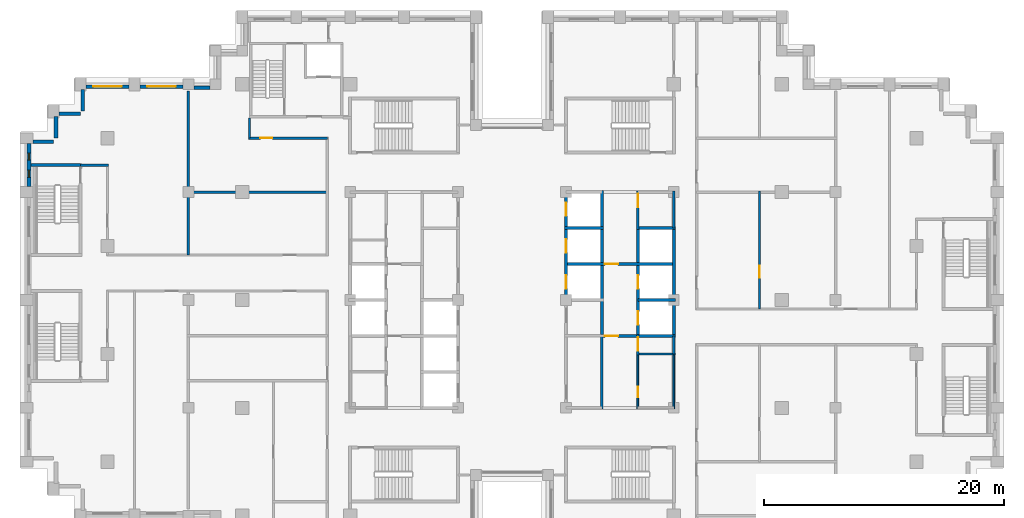
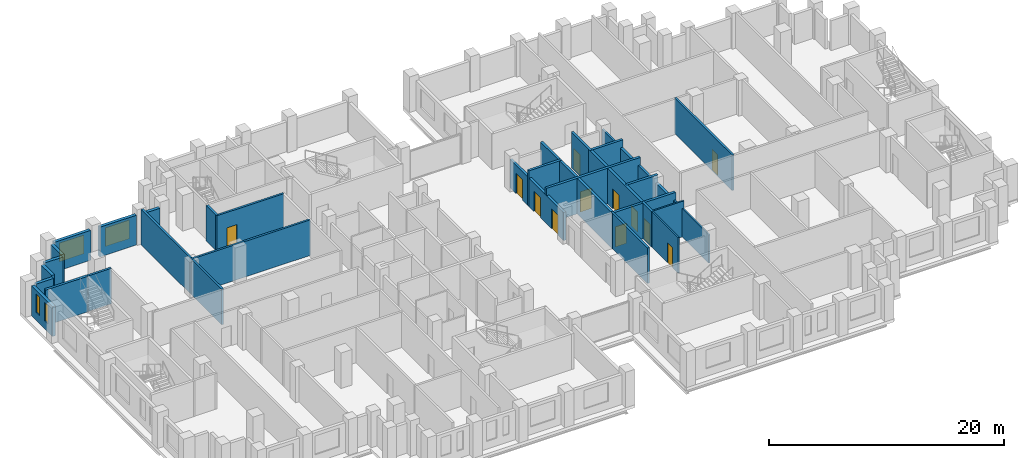
# One storey, part 9 of 15: 32 walls, 12 doors, 4 windows, 16 openings.
"""IFC4 building model written with IfcOpenShell, lengths in metres."""

from ifc_helpers import new_model, si_unit, direction, frame, frame_2d, origin, place, context, subcontext, project, spatial, rectangle, extrude, material, layer, layer_set, type_object, element, fill, save


model = new_model("IFC4")

# Units and contexts
model_context = context("Model", 3, precision=1e-05, world=origin(), true_north=direction((0.0, 1.0)))
body_context = subcontext(model_context, "Body", "Model", "MODEL_VIEW")
ifc_project = project(units=[si_unit("LENGTHUNIT", "METRE"), si_unit("AREAUNIT", "SQUARE_METRE"), si_unit("VOLUMEUNIT", "CUBIC_METRE"), si_unit("PLANEANGLEUNIT", "RADIAN"), si_unit("MASSUNIT", "GRAM", prefix="KILO")], contexts=[model_context])

# Site, building, storey
site_placement = place(None, origin())
site = spatial("IfcSite", under=ifc_project, at=site_placement, CompositionType="ELEMENT")
building_placement = place(site_placement, origin())
building = spatial("IfcBuilding", under=site, at=building_placement, Name="Corbelhall Arena Tower", CompositionType="ELEMENT")
storey_placement = place(building_placement, frame((0.0, 0.0, 130.0)))
storey = spatial("IfcBuildingStorey", under=building, at=storey_placement, Name="L24", CompositionType="ELEMENT", Elevation=130.0)

# Walls
ifc_material_1 = material(Name="Precast concrete C40/50 with granite facing", Category="masonry")
ifc_layer_1 = layer(ifc_material_1, 0.300048828125)
ifc_layer_set_1 = layer_set([ifc_layer_1], Name="EV-IW1 Infill panel 300")
wall_type_1 = type_object("IfcWallType", Name="EV-IW1 Infill panel 300", PredefinedType="SOLIDWALL", material=ifc_layer_set_1)
for number, where, z_axis, x_axis, name in (
    (1, (-35.800048828125, 17.550048828125, 0.0), (0.0, 0.0, 1.0), (0.0, -1.0, 0.0), "Infill panel IW1"),
    (2, (-37.800048828125, 15.550048828125, 0.0), (0.0, 0.0, 1.0), (1.0, 0.0, 0.0), "Infill panel IW1"),
    (3, (-38.050048828125, 15.300048828125, 0.0), (0.0, 0.0, 1.0), (0.0, -1.0, 0.0), "Infill panel IW1"),
):
    element("IfcWall", number, at=place(storey_placement, frame(where, z_axis=z_axis, x_axis=x_axis)), inside=storey, type_object=wall_type_1, Name=name, PredefinedType="SOLIDWALL", context=body_context, shape_type="SweptSolid", body=[
        extrude(rectangle(XDim=1.800048828125, YDim=0.300048828125, at=frame_2d((0.89990234375, 0.0))), origin(), (0.0, 0.0, 1.0), 3.10009765625),
    ])
wall_1_placement = place(storey_placement, frame((-39.949951171875, 13.199951171875, 0.0), z_axis=(0.0, 0.0, 1.0), x_axis=(1.0, 0.0, 0.0)))
element("IfcWall", 4, at=wall_1_placement, inside=storey, type_object=wall_type_1, Name="Infill panel IW1", PredefinedType="SOLIDWALL", context=body_context, shape_type="SweptSolid", body=[
    extrude(rectangle(XDim=1.699951171875, YDim=0.300048828125, at=frame_2d((0.85009765625, 0.0))), origin(), (0.0, 0.0, 1.0), 3.10009765625),
])
wall_2_placement = place(storey_placement, frame((-25.199951171875, 17.699951171875, 0.0), z_axis=(0.0, 0.0, 1.0), x_axis=(-1.0, 0.0, 0.0)))
element("IfcWall", 5, at=wall_2_placement, inside=storey, type_object=wall_type_1, Name="Infill panel IW1", PredefinedType="SOLIDWALL", context=body_context, shape_type="SweptSolid", body=[
    extrude(rectangle(XDim=1.35009765625, YDim=0.300048828125, at=frame_2d((0.675048828125, 0.0))), origin(), (0.0, 0.0, 1.0), 3.10009765625),
])

# Wall, opening, window
wall_3_placement = place(storey_placement, frame((-27.449951171875, 17.800048828125, 0.0), z_axis=(0.0, 0.0, 1.0), x_axis=(-1.0, 0.0, 0.0)))
wall_3 = element("IfcWall", 6, at=wall_3_placement, inside=storey, type_object=wall_type_1, Name="Infill panel IW1", PredefinedType="SOLIDWALL", context=body_context, shape_type="SweptSolid", body=[
    extrude(rectangle(XDim=3.60009765625, YDim=0.300048828125, at=frame_2d((1.800048828125, 0.0))), origin(), (0.0, 0.0, 1.0), 3.10009765625),
])
opening_1_placement = place(wall_3_placement, frame((0.60009765625, 0.0, 0.800048828125)))
opening_1 = element("IfcOpeningElement", 7, at=opening_1_placement, cuts=wall_3, Name="Opening WN1", PredefinedType="OPENING", context=body_context, shape_type="SweptSolid", body=[
    extrude(rectangle(XDim=2.39990234375, YDim=1.949951171875, at=frame_2d((1.199951171875, 0.97509765625))), frame((0.0, 0.14990234375, 0.0), z_axis=(0.0, -1.0, 0.0), x_axis=(1.0, 0.0, 0.0)), (0.0, 0.0, 1.0), 0.300048828125),
])
ifc_material_2 = material(Name="Aluminium black anodised", Category="aluminium")
window_type_1 = type_object("IfcWindowType", Name="EV-WN1 Office window", PartitioningType="SINGLE_PANEL", PredefinedType="WINDOW", material=ifc_material_2)
window_1_placement = place(opening_1_placement, origin())
window_1 = element("IfcWindow", 8, at=window_1_placement, inside=storey, type_object=window_type_1, Name="Window WN1", OverallHeight=1.949951171875, OverallWidth=2.39990234375, PartitioningType="SINGLE_PANEL", PredefinedType="WINDOW", context=body_context, shape_type="SweptSolid", body=[
    extrude(rectangle(XDim=2.39990234375, YDim=1.949951171875, at=frame_2d((1.199951171875, 0.97509765625))), frame((0.0, 0.030029296875, 0.0), z_axis=(0.0, -1.0, 0.0), x_axis=(1.0, 0.0, 0.0)), (0.0, 0.0, 1.0), 0.06005859375),
])
fill(opening_1, window_1)

wall_4_placement = place(storey_placement, frame((-31.949951171875, 17.800048828125, 0.0), z_axis=(0.0, 0.0, 1.0), x_axis=(-1.0, 0.0, 0.0)))
wall_4 = element("IfcWall", 9, at=wall_4_placement, inside=storey, type_object=wall_type_1, Name="Infill panel IW1", PredefinedType="SOLIDWALL", context=body_context, shape_type="SweptSolid", body=[
    extrude(rectangle(XDim=3.60009765625, YDim=0.300048828125, at=frame_2d((1.800048828125, 0.0))), origin(), (0.0, 0.0, 1.0), 3.10009765625),
])
opening_2_placement = place(wall_4_placement, frame((0.60009765625, 0.0, 0.800048828125)))
opening_2 = element("IfcOpeningElement", 10, at=opening_2_placement, cuts=wall_4, Name="Opening WN1", PredefinedType="OPENING", context=body_context, shape_type="SweptSolid", body=[
    extrude(rectangle(XDim=2.39990234375, YDim=1.949951171875, at=frame_2d((1.199951171875, 0.97509765625))), frame((0.0, 0.14990234375, 0.0), z_axis=(0.0, -1.0, 0.0), x_axis=(1.0, 0.0, 0.0)), (0.0, 0.0, 1.0), 0.300048828125),
])
window_2_placement = place(opening_2_placement, origin())
window_2 = element("IfcWindow", 11, at=window_2_placement, inside=storey, type_object=window_type_1, Name="Window WN1", OverallHeight=1.949951171875, OverallWidth=2.39990234375, PartitioningType="SINGLE_PANEL", PredefinedType="WINDOW", context=body_context, shape_type="SweptSolid", body=[
    extrude(rectangle(XDim=2.39990234375, YDim=1.949951171875, at=frame_2d((1.199951171875, 0.97509765625))), frame((0.0, 0.030029296875, 0.0), z_axis=(0.0, -1.0, 0.0), x_axis=(1.0, 0.0, 0.0)), (0.0, 0.0, 1.0), 0.06005859375),
])
fill(opening_2, window_2)

# Wall, openings, windows
wall_5_placement = place(storey_placement, frame((-40.300048828125, 13.050048828125, 0.0), z_axis=(0.0, 0.0, 1.0), x_axis=(0.0, -1.0, 0.0)))
wall_5 = element("IfcWall", 12, at=wall_5_placement, inside=storey, type_object=wall_type_1, Name="Infill panel IW1", PredefinedType="SOLIDWALL", context=body_context, shape_type="SweptSolid", body=[
    extrude(rectangle(XDim=3.60009765625, YDim=0.300048828125, at=frame_2d((1.800048828125, 0.0))), origin(), (0.0, 0.0, 1.0), 3.10009765625),
])
opening_3_placement = place(wall_5_placement, frame((0.78759765625, 0.0, 0.800048828125)))
opening_3 = element("IfcOpeningElement", 13, at=opening_3_placement, cuts=wall_5, Name="Opening WN5", PredefinedType="OPENING", context=body_context, shape_type="SweptSolid", body=[
    extrude(rectangle(XDim=0.60009765625, YDim=1.949951171875, at=frame_2d((0.300048828125, 0.97509765625))), frame((0.0, 0.14990234375, 0.0), z_axis=(0.0, -1.0, 0.0), x_axis=(1.0, 0.0, 0.0)), (0.0, 0.0, 1.0), 0.300048828125),
])
opening_4_placement = place(wall_5_placement, frame((2.21240234375, 0.0, 0.800048828125)))
opening_4 = element("IfcOpeningElement", 14, at=opening_4_placement, cuts=wall_5, Name="Opening WN5", PredefinedType="OPENING", context=body_context, shape_type="SweptSolid", body=[
    extrude(rectangle(XDim=0.60009765625, YDim=1.949951171875, at=frame_2d((0.300048828125, 0.97509765625))), frame((0.0, 0.14990234375, 0.0), z_axis=(0.0, -1.0, 0.0), x_axis=(1.0, 0.0, 0.0)), (0.0, 0.0, 1.0), 0.300048828125),
])
window_type_2 = type_object("IfcWindowType", Name="EV-WN5 Office window 600", PartitioningType="SINGLE_PANEL", PredefinedType="WINDOW", material=ifc_material_2)
window_3_placement = place(opening_3_placement, origin())
window_3 = element("IfcWindow", 15, at=window_3_placement, inside=storey, type_object=window_type_2, Name="Window WN5", OverallHeight=1.949951171875, OverallWidth=0.60009765625, PartitioningType="SINGLE_PANEL", PredefinedType="WINDOW", context=body_context, shape_type="SweptSolid", body=[
    extrude(rectangle(XDim=0.60009765625, YDim=1.949951171875, at=frame_2d((0.300048828125, 0.97509765625))), frame((0.0, 0.030029296875, 0.0), z_axis=(0.0, -1.0, 0.0), x_axis=(1.0, 0.0, 0.0)), (0.0, 0.0, 1.0), 0.06005859375),
])
fill(opening_3, window_3)
window_4_placement = place(opening_4_placement, origin())
window_4 = element("IfcWindow", 16, at=window_4_placement, inside=storey, type_object=window_type_2, Name="Window WN5", OverallHeight=1.949951171875, OverallWidth=0.60009765625, PartitioningType="SINGLE_PANEL", PredefinedType="WINDOW", context=body_context, shape_type="SweptSolid", body=[
    extrude(rectangle(XDim=0.60009765625, YDim=1.949951171875, at=frame_2d((0.300048828125, 0.97509765625))), frame((0.0, 0.030029296875, 0.0), z_axis=(0.0, -1.0, 0.0), x_axis=(1.0, 0.0, 0.0)), (0.0, 0.0, 1.0), 0.06005859375),
])
fill(opening_4, window_4)

# Walls
ifc_material_3 = material(Name="Gypsum board on steel stud, acoustic", Category="steel")
ifc_layer_2 = layer(ifc_material_3, 0.199951171875)
ifc_layer_set_2 = layer_set([ifc_layer_2], Name="IN-W-DM200")
wall_type_2 = type_object("IfcWallType", Name="IN-W-DM200", PredefinedType="PARTITIONING", material=ifc_layer_set_2)
wall_6_placement = place(storey_placement, frame((-36.0, 11.25, 0.0), z_axis=(0.0, 0.0, 1.0), x_axis=(1.0, 0.0, 0.0)))
element("IfcWall", 17, at=wall_6_placement, inside=storey, type_object=wall_type_2, Name="Partition 001", PredefinedType="PARTITIONING", context=body_context, shape_type="SweptSolid", body=[
    extrude(rectangle(XDim=2.35009765625, YDim=0.199951171875, at=frame_2d((1.175048828125, 0.0))), origin(), (0.0, 0.0, 1.0), 3.699951171875),
])
wall_7_placement = place(storey_placement, frame((-27.10009765625, 9.0, 0.0), z_axis=(0.0, 0.0, 1.0), x_axis=(1.0, 0.0, 0.0)))
element("IfcWall", 18, at=wall_7_placement, inside=storey, type_object=wall_type_2, Name="Partition 010", PredefinedType="PARTITIONING", context=body_context, shape_type="SweptSolid", body=[
    extrude(rectangle(XDim=11.7001953125, YDim=0.199951171875, at=frame_2d((5.85009765625, 0.0))), origin(), (0.0, 0.0, 1.0), 3.699951171875),
])
wall_8_placement = place(storey_placement, frame((-27.0, 3.75, 0.0), z_axis=(0.0, 0.0, 1.0), x_axis=(0.0, 1.0, 0.0)))
element("IfcWall", 19, at=wall_8_placement, inside=storey, type_object=wall_type_2, Name="Partition 012", PredefinedType="PARTITIONING", context=body_context, shape_type="SweptSolid", body=[
    extrude(rectangle(XDim=13.699951171875, YDim=0.199951171875, at=frame_2d((6.85009765625, 0.0))), origin(), (0.0, 0.0, 1.0), 3.699951171875),
])
wall_9_placement = place(storey_placement, frame((-21.89990234375, 13.5, 0.0), z_axis=(0.0, 0.0, 1.0), x_axis=(0.0, 1.0, 0.0)))
element("IfcWall", 20, at=wall_9_placement, inside=storey, type_object=wall_type_2, Name="Partition 013", PredefinedType="PARTITIONING", context=body_context, shape_type="SweptSolid", body=[
    extrude(rectangle(XDim=1.699951171875, YDim=0.199951171875, at=frame_2d((0.85009765625, 0.0))), origin(), (0.0, 0.0, 1.0), 3.699951171875),
])

# Wall, opening, door
wall_10_placement = place(storey_placement, frame((-15.39990234375, 13.5, 0.0), z_axis=(0.0, 0.0, 1.0), x_axis=(-1.0, 0.0, 0.0)))
wall_10 = element("IfcWall", 21, at=wall_10_placement, inside=storey, type_object=wall_type_2, Name="Partition 019", PredefinedType="PARTITIONING", context=body_context, shape_type="SweptSolid", body=[
    extrude(rectangle(XDim=6.60009765625, YDim=0.199951171875, at=frame_2d((3.300048828125, 0.0))), origin(), (0.0, 0.0, 1.0), 3.699951171875),
])
opening_5_placement = place(wall_10_placement, frame((4.60009765625, 0.0, 0.0)))
opening_5 = element("IfcOpeningElement", 22, at=opening_5_placement, cuts=wall_10, Name="Opening 06028", PredefinedType="OPENING", context=body_context, shape_type="SweptSolid", body=[
    extrude(rectangle(XDim=1.0, YDim=2.10009765625, at=frame_2d((0.5, 1.050048828125))), frame((0.0, 0.10009765625, 0.0), z_axis=(0.0, -1.0, 0.0), x_axis=(1.0, 0.0, 0.0)), (0.0, 0.0, 1.0), 0.199951171875),
])
ifc_material_4 = material(Name="Steel door set", Category="steel")
door_type_1 = type_object("IfcDoorType", Name="IN-D-SW100", OperationType="NOTDEFINED", PredefinedType="DOOR", material=ifc_material_4)
door_1_placement = place(opening_5_placement, origin())
door_1 = element("IfcDoor", 23, at=door_1_placement, inside=storey, type_object=door_type_1, Name="Door 028", OperationType="SINGLE_SWING_LEFT", OverallHeight=2.10009765625, OverallWidth=1.0, PredefinedType="DOOR", context=body_context, shape_type="SweptSolid", body=[
    extrude(rectangle(XDim=1.0, YDim=2.10009765625, at=frame_2d((0.5, 1.050048828125))), frame((0.0, 0.02490234375, 0.0), z_axis=(0.0, -1.0, 0.0), x_axis=(1.0, 0.0, 0.0)), (0.0, 0.0, 1.0), 0.050048828125),
])
fill(opening_5, door_1)

wall_11_placement = place(storey_placement, frame((20.64990234375, 9.10009765625, 0.0), z_axis=(0.0, 0.0, 1.0), x_axis=(0.0, -1.0, 0.0)))
wall_11 = element("IfcWall", 24, at=wall_11_placement, inside=storey, type_object=wall_type_2, Name="Partition 037", PredefinedType="PARTITIONING", context=body_context, shape_type="SweptSolid", body=[
    extrude(rectangle(XDim=9.85009765625, YDim=0.199951171875, at=frame_2d((4.925048828125, 0.0))), origin(), (0.0, 0.0, 1.0), 3.699951171875),
])
opening_6_placement = place(wall_11_placement, frame((6.25, 0.0, 0.0)))
opening_6 = element("IfcOpeningElement", 25, at=opening_6_placement, cuts=wall_11, Name="Opening 06035", PredefinedType="OPENING", context=body_context, shape_type="SweptSolid", body=[
    extrude(rectangle(XDim=1.0, YDim=2.10009765625, at=frame_2d((0.5, 1.050048828125))), frame((0.0, 0.10009765625, 0.0), z_axis=(0.0, -1.0, 0.0), x_axis=(1.0, 0.0, 0.0)), (0.0, 0.0, 1.0), 0.199951171875),
])
door_2_placement = place(opening_6_placement, origin())
door_2 = element("IfcDoor", 26, at=door_2_placement, inside=storey, type_object=door_type_1, Name="Door 035", OperationType="SINGLE_SWING_RIGHT", OverallHeight=2.10009765625, OverallWidth=1.0, PredefinedType="DOOR", context=body_context, shape_type="SweptSolid", body=[
    extrude(rectangle(XDim=1.0, YDim=2.10009765625, at=frame_2d((0.5, 1.050048828125))), frame((0.0, 0.02490234375, 0.0), z_axis=(0.0, -1.0, 0.0), x_axis=(1.0, 0.0, 0.0)), (0.0, 0.0, 1.0), 0.050048828125),
])
fill(opening_6, door_2)

# Wall
ifc_material_5 = material(Name="Concrete block wall", Category="concrete")
ifc_layer_3 = layer(ifc_material_5, 0.199951171875)
ifc_layer_set_3 = layer_set([ifc_layer_3], Name="IN-W-RS200")
wall_type_3 = type_object("IfcWallType", Name="IN-W-RS200", PredefinedType="SOLIDWALL", material=ifc_layer_set_3)
wall_12_placement = place(storey_placement, frame((7.5, -2.875, 0.0), z_axis=(0.0, 0.0, 1.0), x_axis=(0.0, -1.0, 0.0)))
element("IfcWall", 27, at=wall_12_placement, inside=storey, type_object=wall_type_3, Name="Partition 059", PredefinedType="SOLIDWALL", context=body_context, shape_type="SweptSolid", body=[
    extrude(rectangle(XDim=6.22509765625, YDim=0.199951171875, at=frame_2d((3.112548828125, 0.0))), origin(), (0.0, 0.0, 1.0), 3.699951171875),
])

# Wall, opening, door
wall_13_placement = place(storey_placement, frame((10.5, -2.875, 0.0), z_axis=(0.0, 0.0, 1.0), x_axis=(0.0, -1.0, 0.0)))
wall_13 = element("IfcWall", 28, at=wall_13_placement, inside=storey, type_object=wall_type_3, Name="Partition 060", PredefinedType="SOLIDWALL", context=body_context, shape_type="SweptSolid", body=[
    extrude(rectangle(XDim=1.699951171875, YDim=0.199951171875, at=frame_2d((0.85009765625, 0.0))), origin(), (0.0, 0.0, 1.0), 3.699951171875),
])
opening_7_placement = place(wall_13_placement, frame((0.25, 0.0, 0.0)))
opening_7 = element("IfcOpeningElement", 29, at=opening_7_placement, cuts=wall_13, Name="Opening 06013", PredefinedType="OPENING", context=body_context, shape_type="SweptSolid", body=[
    extrude(rectangle(XDim=1.10009765625, YDim=2.10009765625, at=frame_2d((0.550048828125, 1.050048828125))), frame((0.0, 0.10009765625, 0.0), z_axis=(0.0, -1.0, 0.0), x_axis=(1.0, 0.0, 0.0)), (0.0, 0.0, 1.0), 0.199951171875),
])
door_type_2 = type_object("IfcDoorType", Name="IN-D-FD110", OperationType="NOTDEFINED", PredefinedType="DOOR", material=ifc_material_4)
door_3_placement = place(opening_7_placement, origin())
door_3 = element("IfcDoor", 30, at=door_3_placement, inside=storey, type_object=door_type_2, Name="Door 013", OperationType="SINGLE_SWING_RIGHT", OverallHeight=2.10009765625, OverallWidth=1.10009765625, PredefinedType="DOOR", context=body_context, shape_type="SweptSolid", body=[
    extrude(rectangle(XDim=1.10009765625, YDim=2.10009765625, at=frame_2d((0.550048828125, 1.050048828125))), frame((0.0, 0.02490234375, 0.0), z_axis=(0.0, -1.0, 0.0), x_axis=(1.0, 0.0, 0.0)), (0.0, 0.0, 1.0), 0.050048828125),
])
fill(opening_7, door_3)

wall_14_placement = place(storey_placement, frame((10.5, 9.10009765625, 0.0), z_axis=(0.0, 0.0, 1.0), x_axis=(0.0, -1.0, 0.0)))
wall_14 = element("IfcWall", 31, at=wall_14_placement, inside=storey, type_object=wall_type_3, Name="Partition 062", PredefinedType="SOLIDWALL", context=body_context, shape_type="SweptSolid", body=[
    extrude(rectangle(XDim=3.22509765625, YDim=0.199951171875, at=frame_2d((1.612548828125, 0.0))), origin(), (0.0, 0.0, 1.0), 3.699951171875),
])
opening_8_placement = place(wall_14_placement, frame((0.25, 0.0, 0.0)))
opening_8 = element("IfcOpeningElement", 32, at=opening_8_placement, cuts=wall_14, Name="Opening 06014", PredefinedType="OPENING", context=body_context, shape_type="SweptSolid", body=[
    extrude(rectangle(XDim=1.10009765625, YDim=2.10009765625, at=frame_2d((0.550048828125, 1.050048828125))), frame((0.0, 0.10009765625, 0.0), z_axis=(0.0, -1.0, 0.0), x_axis=(1.0, 0.0, 0.0)), (0.0, 0.0, 1.0), 0.199951171875),
])
door_4_placement = place(opening_8_placement, origin())
door_4 = element("IfcDoor", 33, at=door_4_placement, inside=storey, type_object=door_type_2, Name="Door 014", OperationType="SINGLE_SWING_LEFT", OverallHeight=2.10009765625, OverallWidth=1.10009765625, PredefinedType="DOOR", context=body_context, shape_type="SweptSolid", body=[
    extrude(rectangle(XDim=1.10009765625, YDim=2.10009765625, at=frame_2d((0.550048828125, 1.050048828125))), frame((0.0, 0.02490234375, 0.0), z_axis=(0.0, -1.0, 0.0), x_axis=(1.0, 0.0, 0.0)), (0.0, 0.0, 1.0), 0.050048828125),
])
fill(opening_8, door_4)

# Walls
ifc_layer_4 = layer(ifc_material_5, 0.199951171875)
ifc_layer_set_4 = layer_set([ifc_layer_4], Name="IN-W-RS200 under beam 762 mm")
wall_type_4 = type_object("IfcWallType", Name="IN-W-RS200 under beam 762 mm", PredefinedType="SOLIDWALL", material=ifc_layer_set_4)
wall_15_placement = place(storey_placement, frame((13.5, -3.0, 0.0), z_axis=(0.0, 0.0, 1.0), x_axis=(0.0, -1.0, 0.0)))
element("IfcWall", 34, at=wall_15_placement, inside=storey, type_object=wall_type_4, Name="Partition 063", PredefinedType="SOLIDWALL", context=body_context, shape_type="SweptSolid", body=[
    extrude(rectangle(XDim=1.5, YDim=0.199951171875, at=frame_2d((0.75, 0.0))), origin(), (0.0, 0.0, 1.0), 2.93798828125),
])
wall_16_placement = place(storey_placement, frame((13.5, 9.10009765625, 0.0), z_axis=(0.0, 0.0, 1.0), x_axis=(0.0, -1.0, 0.0)))
element("IfcWall", 35, at=wall_16_placement, inside=storey, type_object=wall_type_4, Name="Partition 064", PredefinedType="SOLIDWALL", context=body_context, shape_type="SweptSolid", body=[
    extrude(rectangle(XDim=3.10009765625, YDim=0.199951171875, at=frame_2d((1.550048828125, 0.0))), origin(), (0.0, 0.0, 1.0), 2.93798828125),
])

# Wall, opening, door
ifc_material_6 = material(Name="Concrete C40/50", Category="concrete")
ifc_layer_5 = layer(ifc_material_6, 0.25)
ifc_layer_set_5 = layer_set([ifc_layer_5], Name="IN-W-SH250")
wall_type_5 = type_object("IfcWallType", Name="IN-W-SH250", PredefinedType="SOLIDWALL", material=ifc_layer_set_5)
wall_17_placement = place(storey_placement, frame((4.375, 3.0, 0.0), z_axis=(0.0, 0.0, 1.0), x_axis=(1.0, 0.0, 0.0)))
wall_17 = element("IfcWall", 36, at=wall_17_placement, inside=storey, type_object=wall_type_5, Name="Shaft wall 076", PredefinedType="SOLIDWALL", context=body_context, shape_type="SweptSolid", body=[
    extrude(rectangle(XDim=9.25, YDim=0.25, at=frame_2d((4.625, 0.0))), origin(), (0.0, 0.0, 1.0), 3.699951171875),
])
opening_9_placement = place(wall_17_placement, frame((3.375, 0.0, 0.0)))
opening_9 = element("IfcOpeningElement", 37, at=opening_9_placement, cuts=wall_17, Name="Opening 06011", PredefinedType="OPENING", context=body_context, shape_type="SweptSolid", body=[
    extrude(rectangle(XDim=1.10009765625, YDim=2.10009765625, at=frame_2d((0.550048828125, 1.050048828125))), frame((0.0, 0.125, 0.0), z_axis=(0.0, -1.0, 0.0), x_axis=(1.0, 0.0, 0.0)), (0.0, 0.0, 1.0), 0.25),
])
door_5_placement = place(opening_9_placement, origin())
door_5 = element("IfcDoor", 38, at=door_5_placement, inside=storey, type_object=door_type_2, Name="Door 011", OperationType="SINGLE_SWING_RIGHT", OverallHeight=2.10009765625, OverallWidth=1.10009765625, PredefinedType="DOOR", context=body_context, shape_type="SweptSolid", body=[
    extrude(rectangle(XDim=1.10009765625, YDim=2.10009765625, at=frame_2d((0.550048828125, 1.050048828125))), frame((0.0, 0.02490234375, 0.0), z_axis=(0.0, -1.0, 0.0), x_axis=(1.0, 0.0, 0.0)), (0.0, 0.0, 1.0), 0.050048828125),
])
fill(opening_9, door_5)

# Wall
wall_18_placement = place(storey_placement, frame((4.375, 6.0, 0.0), z_axis=(0.0, 0.0, 1.0), x_axis=(1.0, 0.0, 0.0)))
element("IfcWall", 39, at=wall_18_placement, inside=storey, type_object=wall_type_5, Name="Shaft wall 077", PredefinedType="SOLIDWALL", context=body_context, shape_type="SweptSolid", body=[
    extrude(rectangle(XDim=3.25, YDim=0.25, at=frame_2d((1.625, 0.0))), origin(), (0.0, 0.0, 1.0), 3.699951171875),
])

# Wall, opening, door
wall_19_placement = place(storey_placement, frame((7.5, -3.0, 0.0), z_axis=(0.0, 0.0, 1.0), x_axis=(1.0, 0.0, 0.0)))
wall_19 = element("IfcWall", 40, at=wall_19_placement, inside=storey, type_object=wall_type_5, Name="Shaft wall 080", PredefinedType="SOLIDWALL", context=body_context, shape_type="SweptSolid", body=[
    extrude(rectangle(XDim=6.125, YDim=0.25, at=frame_2d((3.0625, 0.0))), origin(), (0.0, 0.0, 1.0), 3.699951171875),
])
opening_10_placement = place(wall_19_placement, frame((0.25, 0.0, 0.0)))
opening_10 = element("IfcOpeningElement", 41, at=opening_10_placement, cuts=wall_19, Name="Opening 06010", PredefinedType="OPENING", context=body_context, shape_type="SweptSolid", body=[
    extrude(rectangle(XDim=1.10009765625, YDim=2.10009765625, at=frame_2d((0.550048828125, 1.050048828125))), frame((0.0, 0.125, 0.0), z_axis=(0.0, -1.0, 0.0), x_axis=(1.0, 0.0, 0.0)), (0.0, 0.0, 1.0), 0.25),
])
door_6_placement = place(opening_10_placement, origin())
door_6 = element("IfcDoor", 42, at=door_6_placement, inside=storey, type_object=door_type_2, Name="Door 010", OperationType="SINGLE_SWING_LEFT", OverallHeight=2.10009765625, OverallWidth=1.10009765625, PredefinedType="DOOR", context=body_context, shape_type="SweptSolid", body=[
    extrude(rectangle(XDim=1.10009765625, YDim=2.10009765625, at=frame_2d((0.550048828125, 1.050048828125))), frame((0.0, 0.02490234375, 0.0), z_axis=(0.0, -1.0, 0.0), x_axis=(1.0, 0.0, 0.0)), (0.0, 0.0, 1.0), 0.050048828125),
])
fill(opening_10, door_6)

# Walls
wall_20_placement = place(storey_placement, frame((7.5, 9.125, 0.0), z_axis=(0.0, 0.0, 1.0), x_axis=(0.0, -1.0, 0.0)))
element("IfcWall", 43, at=wall_20_placement, inside=storey, type_object=wall_type_5, Name="Shaft wall 081", PredefinedType="SOLIDWALL", context=body_context, shape_type="SweptSolid", body=[
    extrude(rectangle(XDim=12.25, YDim=0.25, at=frame_2d((6.125, 0.0))), origin(), (0.0, 0.0, 1.0), 3.699951171875),
])
wall_21_placement = place(storey_placement, frame((10.5, 0.0, 0.0), z_axis=(0.0, 0.0, 1.0), x_axis=(1.0, 0.0, 0.0)))
element("IfcWall", 44, at=wall_21_placement, inside=storey, type_object=wall_type_5, Name="Shaft wall 082", PredefinedType="SOLIDWALL", context=body_context, shape_type="SweptSolid", body=[
    extrude(rectangle(XDim=3.125, YDim=0.25, at=frame_2d((1.5625, 0.0))), origin(), (0.0, 0.0, 1.0), 3.699951171875),
])

# Wall, openings, doors
wall_22_placement = place(storey_placement, frame((10.5, 6.125, 0.0), z_axis=(0.0, 0.0, 1.0), x_axis=(0.0, -1.0, 0.0)))
wall_22 = element("IfcWall", 45, at=wall_22_placement, inside=storey, type_object=wall_type_5, Name="Shaft wall 083", PredefinedType="SOLIDWALL", context=body_context, shape_type="SweptSolid", body=[
    extrude(rectangle(XDim=9.25, YDim=0.25, at=frame_2d((4.625, 0.0))), origin(), (0.0, 0.0, 1.0), 3.699951171875),
])
opening_11_placement = place(wall_22_placement, frame((7.074951171875, 0.0, 0.0)))
opening_11 = element("IfcOpeningElement", 46, at=opening_11_placement, cuts=wall_22, Name="Opening LD", PredefinedType="OPENING", context=body_context, shape_type="SweptSolid", body=[
    extrude(rectangle(XDim=1.10009765625, YDim=2.10009765625, at=frame_2d((0.550048828125, 1.050048828125))), frame((0.0, 0.125, 0.0), z_axis=(0.0, -1.0, 0.0), x_axis=(1.0, 0.0, 0.0)), (0.0, 0.0, 1.0), 0.25),
])
opening_12_placement = place(wall_22_placement, frame((4.074951171875, 0.0, 0.0)))
opening_12 = element("IfcOpeningElement", 47, at=opening_12_placement, cuts=wall_22, Name="Opening LD", PredefinedType="OPENING", context=body_context, shape_type="SweptSolid", body=[
    extrude(rectangle(XDim=1.10009765625, YDim=2.10009765625, at=frame_2d((0.550048828125, 1.050048828125))), frame((0.0, 0.125, 0.0), z_axis=(0.0, -1.0, 0.0), x_axis=(1.0, 0.0, 0.0)), (0.0, 0.0, 1.0), 0.25),
])
door_type_3 = type_object("IfcDoorType", Name="IN-D-LD110", OperationType="NOTDEFINED", PredefinedType="DOOR", material=ifc_material_4)
door_7_placement = place(opening_11_placement, origin())
door_7 = element("IfcDoor", 48, at=door_7_placement, inside=storey, type_object=door_type_3, Name="Landing door E3", OperationType="SLIDING_TO_LEFT", OverallHeight=2.10009765625, OverallWidth=1.10009765625, PredefinedType="DOOR", context=body_context, shape_type="SweptSolid", body=[
    extrude(rectangle(XDim=1.10009765625, YDim=2.10009765625, at=frame_2d((0.550048828125, 1.050048828125))), frame((0.0, 0.02490234375, 0.0), z_axis=(0.0, -1.0, 0.0), x_axis=(1.0, 0.0, 0.0)), (0.0, 0.0, 1.0), 0.050048828125),
])
fill(opening_11, door_7)
door_8_placement = place(opening_12_placement, origin())
door_8 = element("IfcDoor", 49, at=door_8_placement, inside=storey, type_object=door_type_3, Name="Landing door E4", OperationType="SLIDING_TO_LEFT", OverallHeight=2.10009765625, OverallWidth=1.10009765625, PredefinedType="DOOR", context=body_context, shape_type="SweptSolid", body=[
    extrude(rectangle(XDim=1.10009765625, YDim=2.10009765625, at=frame_2d((0.550048828125, 1.050048828125))), frame((0.0, 0.02490234375, 0.0), z_axis=(0.0, -1.0, 0.0), x_axis=(1.0, 0.0, 0.0)), (0.0, 0.0, 1.0), 0.050048828125),
])
fill(opening_12, door_8)

# Wall
wall_23_placement = place(storey_placement, frame((10.5, 6.0, 0.0), z_axis=(0.0, 0.0, 1.0), x_axis=(1.0, 0.0, 0.0)))
element("IfcWall", 50, at=wall_23_placement, inside=storey, type_object=wall_type_5, Name="Shaft wall 084", PredefinedType="SOLIDWALL", context=body_context, shape_type="SweptSolid", body=[
    extrude(rectangle(XDim=3.125, YDim=0.25, at=frame_2d((1.5625, 0.0))), origin(), (0.0, 0.0, 1.0), 3.699951171875),
])

# Wall, openings, doors
ifc_layer_6 = layer(ifc_material_6, 0.25)
ifc_layer_set_6 = layer_set([ifc_layer_6], Name="IN-W-SH250 under beam 762 mm")
wall_type_6 = type_object("IfcWallType", Name="IN-W-SH250 under beam 762 mm", PredefinedType="SOLIDWALL", material=ifc_layer_set_6)
wall_24_placement = place(storey_placement, frame((4.5, 0.0, 0.0), z_axis=(0.0, 0.0, 1.0), x_axis=(0.0, 1.0, 0.0)))
wall_24 = element("IfcWall", 51, at=wall_24_placement, inside=storey, type_object=wall_type_6, Name="Shaft wall 078", PredefinedType="SOLIDWALL", context=body_context, shape_type="SweptSolid", body=[
    extrude(rectangle(XDim=9.125, YDim=0.25, at=frame_2d((4.5625, 0.0))), origin(), (0.0, 0.0, 1.0), 2.93798828125),
])
opening_13_placement = place(wall_24_placement, frame((0.949951171875, 0.0, 0.0)))
opening_13 = element("IfcOpeningElement", 52, at=opening_13_placement, cuts=wall_24, Name="Opening LD", PredefinedType="OPENING", context=body_context, shape_type="SweptSolid", body=[
    extrude(rectangle(XDim=1.10009765625, YDim=2.10009765625, at=frame_2d((0.550048828125, 1.050048828125))), frame((0.0, 0.125, 0.0), z_axis=(0.0, -1.0, 0.0), x_axis=(1.0, 0.0, 0.0)), (0.0, 0.0, 1.0), 0.25),
])
opening_14_placement = place(wall_24_placement, frame((3.949951171875, 0.0, 0.0)))
opening_14 = element("IfcOpeningElement", 53, at=opening_14_placement, cuts=wall_24, Name="Opening LD", PredefinedType="OPENING", context=body_context, shape_type="SweptSolid", body=[
    extrude(rectangle(XDim=1.10009765625, YDim=2.10009765625, at=frame_2d((0.550048828125, 1.050048828125))), frame((0.0, 0.125, 0.0), z_axis=(0.0, -1.0, 0.0), x_axis=(1.0, 0.0, 0.0)), (0.0, 0.0, 1.0), 0.25),
])
opening_15_placement = place(wall_24_placement, frame((7.012451171875, 0.0, 0.0)))
opening_15 = element("IfcOpeningElement", 54, at=opening_15_placement, cuts=wall_24, Name="Opening LD", PredefinedType="OPENING", context=body_context, shape_type="SweptSolid", body=[
    extrude(rectangle(XDim=1.10009765625, YDim=2.10009765625, at=frame_2d((0.550048828125, 1.050048828125))), frame((0.0, 0.125, 0.0), z_axis=(0.0, -1.0, 0.0), x_axis=(1.0, 0.0, 0.0)), (0.0, 0.0, 1.0), 0.25),
])
door_9_placement = place(opening_13_placement, origin())
door_9 = element("IfcDoor", 55, at=door_9_placement, inside=storey, type_object=door_type_3, Name="Landing door E4", OperationType="SLIDING_TO_LEFT", OverallHeight=2.10009765625, OverallWidth=1.10009765625, PredefinedType="DOOR", context=body_context, shape_type="SweptSolid", body=[
    extrude(rectangle(XDim=1.10009765625, YDim=2.10009765625, at=frame_2d((0.550048828125, 1.050048828125))), frame((0.0, 0.02490234375, 0.0), z_axis=(0.0, -1.0, 0.0), x_axis=(1.0, 0.0, 0.0)), (0.0, 0.0, 1.0), 0.050048828125),
])
fill(opening_13, door_9)
door_10_placement = place(opening_14_placement, origin())
door_10 = element("IfcDoor", 56, at=door_10_placement, inside=storey, type_object=door_type_3, Name="Landing door E5", OperationType="SLIDING_TO_LEFT", OverallHeight=2.10009765625, OverallWidth=1.10009765625, PredefinedType="DOOR", context=body_context, shape_type="SweptSolid", body=[
    extrude(rectangle(XDim=1.10009765625, YDim=2.10009765625, at=frame_2d((0.550048828125, 1.050048828125))), frame((0.0, 0.02490234375, 0.0), z_axis=(0.0, -1.0, 0.0), x_axis=(1.0, 0.0, 0.0)), (0.0, 0.0, 1.0), 0.050048828125),
])
fill(opening_14, door_10)
door_11_placement = place(opening_15_placement, origin())
door_11 = element("IfcDoor", 57, at=door_11_placement, inside=storey, type_object=door_type_3, Name="Landing door E6", OperationType="SLIDING_TO_LEFT", OverallHeight=2.10009765625, OverallWidth=1.10009765625, PredefinedType="DOOR", context=body_context, shape_type="SweptSolid", body=[
    extrude(rectangle(XDim=1.10009765625, YDim=2.10009765625, at=frame_2d((0.550048828125, 1.050048828125))), frame((0.0, 0.02490234375, 0.0), z_axis=(0.0, -1.0, 0.0), x_axis=(1.0, 0.0, 0.0)), (0.0, 0.0, 1.0), 0.050048828125),
])
fill(opening_15, door_11)

# Walls
wall_25_placement = place(storey_placement, frame((13.5, 6.0, 0.0), z_axis=(0.0, 0.0, 1.0), x_axis=(0.0, -1.0, 0.0)))
element("IfcWall", 58, at=wall_25_placement, inside=storey, type_object=wall_type_6, Name="Shaft wall 085", PredefinedType="SOLIDWALL", context=body_context, shape_type="SweptSolid", body=[
    extrude(rectangle(XDim=9.0, YDim=0.25, at=frame_2d((4.5, 0.0))), origin(), (0.0, 0.0, 1.0), 2.93798828125),
])
ifc_layer_7 = layer(ifc_material_6, 0.25)
ifc_layer_set_7 = layer_set([ifc_layer_7], Name="IN-W-ST250")
wall_type_7 = type_object("IfcWallType", Name="IN-W-ST250", PredefinedType="SOLIDWALL", material=ifc_layer_set_7)
wall_26_placement = place(storey_placement, frame((-40.14990234375, 11.25, 0.0), z_axis=(0.0, 0.0, 1.0), x_axis=(1.0, 0.0, 0.0)))
element("IfcWall", 59, at=wall_26_placement, inside=storey, type_object=wall_type_7, Name="Shaft wall 087", PredefinedType="SOLIDWALL", context=body_context, shape_type="SweptSolid", body=[
    extrude(rectangle(XDim=4.14990234375, YDim=0.25, at=frame_2d((2.074951171875, 0.0))), origin(), (0.0, 0.0, 1.0), 3.699951171875),
])
ifc_material_7 = material(Name="Gypsum board on steel stud, moisture resistant", Category="steel")
ifc_layer_8 = layer(ifc_material_7, 0.14990234375)
ifc_layer_set_8 = layer_set([ifc_layer_8], Name="IN-W-WC150")
wall_type_8 = type_object("IfcWallType", Name="IN-W-WC150", PredefinedType="PARTITIONING", material=ifc_layer_set_8)
wall_27_placement = place(storey_placement, frame((10.5, -4.5, 0.0), z_axis=(0.0, 0.0, 1.0), x_axis=(1.0, 0.0, 0.0)))
element("IfcWall", 60, at=wall_27_placement, inside=storey, type_object=wall_type_8, Name="Partition 121", PredefinedType="PARTITIONING", context=body_context, shape_type="SweptSolid", body=[
    extrude(rectangle(XDim=3.10009765625, YDim=0.14990234375, at=frame_2d((1.550048828125, 0.0))), origin(), (0.0, 0.0, 1.0), 3.699951171875),
])

# Wall, opening, door
wall_28_placement = place(storey_placement, frame((10.5, -4.425048828125, 0.0), z_axis=(0.0, 0.0, 1.0), x_axis=(0.0, -1.0, 0.0)))
wall_28 = element("IfcWall", 61, at=wall_28_placement, inside=storey, type_object=wall_type_8, Name="Partition 122", PredefinedType="PARTITIONING", context=body_context, shape_type="SweptSolid", body=[
    extrude(rectangle(XDim=4.64990234375, YDim=0.14990234375, at=frame_2d((2.324951171875, 0.0))), origin(), (0.0, 0.0, 1.0), 3.699951171875),
])
opening_16_placement = place(wall_28_placement, frame((2.800048828125, 0.0, 0.0)))
opening_16 = element("IfcOpeningElement", 62, at=opening_16_placement, cuts=wall_28, Name="Opening 06012", PredefinedType="OPENING", context=body_context, shape_type="SweptSolid", body=[
    extrude(rectangle(XDim=0.89990234375, YDim=2.10009765625, at=frame_2d((0.449951171875, 1.050048828125))), frame((0.0, 0.074951171875, 0.0), z_axis=(0.0, -1.0, 0.0), x_axis=(1.0, 0.0, 0.0)), (0.0, 0.0, 1.0), 0.14990234375),
])
ifc_material_8 = material(Name="Timber door set", Category="wood")
door_type_4 = type_object("IfcDoorType", Name="IN-D-SW90", OperationType="NOTDEFINED", PredefinedType="DOOR", material=ifc_material_8)
door_12_placement = place(opening_16_placement, origin())
door_12 = element("IfcDoor", 63, at=door_12_placement, inside=storey, type_object=door_type_4, Name="Door 012", OperationType="SINGLE_SWING_LEFT", OverallHeight=2.10009765625, OverallWidth=0.89990234375, PredefinedType="DOOR", context=body_context, shape_type="SweptSolid", body=[
    extrude(rectangle(XDim=0.89990234375, YDim=2.10009765625, at=frame_2d((0.449951171875, 1.050048828125))), frame((0.0, 0.02490234375, 0.0), z_axis=(0.0, -1.0, 0.0), x_axis=(1.0, 0.0, 0.0)), (0.0, 0.0, 1.0), 0.050048828125),
])
fill(opening_16, door_12)

# Wall
ifc_layer_9 = layer(ifc_material_7, 0.14990234375)
ifc_layer_set_9 = layer_set([ifc_layer_9], Name="IN-W-WC150 under beam 762 mm")
wall_type_9 = type_object("IfcWallType", Name="IN-W-WC150 under beam 762 mm", PredefinedType="PARTITIONING", material=ifc_layer_set_9)
wall_29_placement = place(storey_placement, frame((13.5, -4.5, 0.0), z_axis=(0.0, 0.0, 1.0), x_axis=(0.0, -1.0, 0.0)))
element("IfcWall", 64, at=wall_29_placement, inside=storey, type_object=wall_type_9, Name="Partition 124", PredefinedType="PARTITIONING", context=body_context, shape_type="SweptSolid", body=[
    extrude(rectangle(XDim=4.574951171875, YDim=0.14990234375, at=frame_2d((2.28759765625, 0.0))), origin(), (0.0, 0.0, 1.0), 2.93798828125),
])

save(model, "model.ifc")
